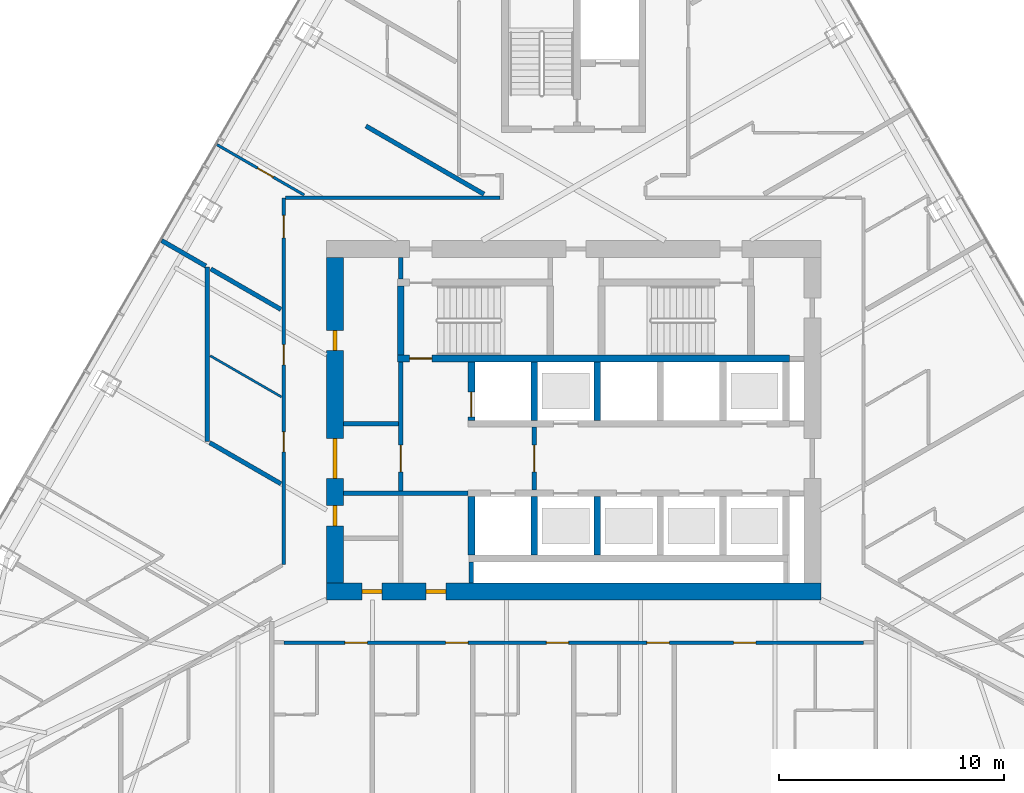
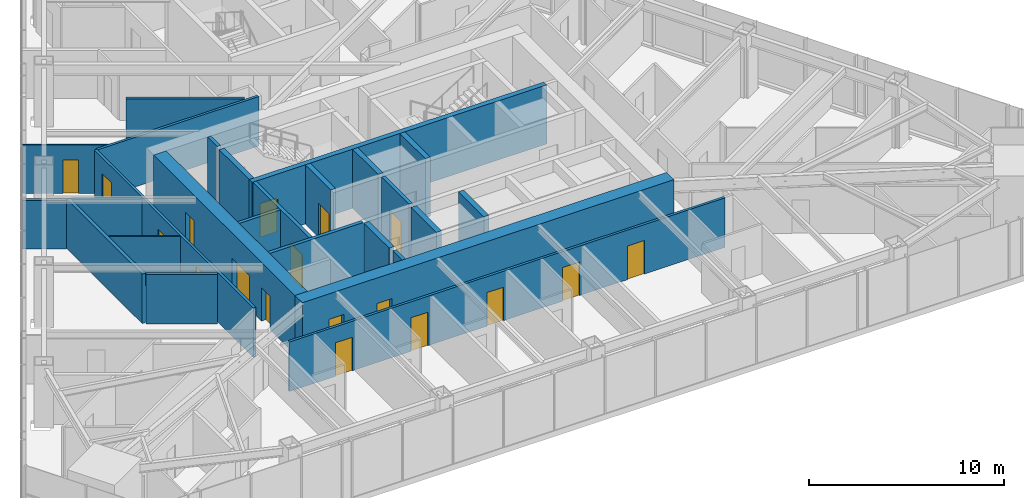
# One storey, part 15 of 21: 26 walls, 18 doors, 18 openings.
"""IFC4 building model written with IfcOpenShell, lengths in metres."""

from ifc_helpers import new_model, si_unit, direction, frame, frame_2d, origin, place, context, subcontext, project, spatial, rectangle, extrude, material, layer, layer_set, type_object, element, fill, save


model = new_model("IFC4")

# Units and contexts
model_context = context("Model", 3, precision=1e-05, world=origin(), true_north=direction((0.0, 1.0)))
body_context = subcontext(model_context, "Body", "Model", "MODEL_VIEW")
ifc_project = project(units=[si_unit("LENGTHUNIT", "METRE"), si_unit("AREAUNIT", "SQUARE_METRE"), si_unit("VOLUMEUNIT", "CUBIC_METRE"), si_unit("PLANEANGLEUNIT", "RADIAN"), si_unit("MASSUNIT", "GRAM", prefix="KILO")], contexts=[model_context])

# Site, building, storey
site_placement = place(None, origin())
site = spatial("IfcSite", under=ifc_project, at=site_placement, CompositionType="ELEMENT")
building_placement = place(site_placement, origin())
building = spatial("IfcBuilding", under=site, at=building_placement, Name="Firuza Gate Tower and Library", CompositionType="ELEMENT")
storey_placement = place(building_placement, frame((0.0, 0.0, 167.5)))
storey = spatial("IfcBuildingStorey", under=building, at=storey_placement, Name="L38", CompositionType="ELEMENT", Elevation=167.5)

# Walls
ifc_material_1 = material(Name="Plasterboard on steel studs", Category="steel")
ifc_layer_1 = layer(ifc_material_1, 0.199951171875)
ifc_layer_set_1 = layer_set([ifc_layer_1], Name="Core partition 200 EI 120")
wall_type_1 = type_object("IfcWallType", Name="Core partition 200 EI 120", PredefinedType="PARTITIONING", material=ifc_layer_set_1)
wall_1_placement = place(storey_placement, frame((64.75, 71.75, 0.0), z_axis=(0.0, 0.0, 1.0), x_axis=(1.0, 0.0, 0.0)))
element("IfcWall", 1, at=wall_1_placement, inside=storey, type_object=wall_type_1, Name="Core partition L38 2", PredefinedType="PARTITIONING", context=body_context, shape_type="SweptSolid", body=[
    extrude(rectangle(XDim=5.550048828125, YDim=0.199951171875, at=frame_2d((2.77490234375, 0.0))), origin(), (0.0, 0.0, 1.0), 3.699951171875),
])
wall_2_placement = place(storey_placement, frame((64.75, 74.85009765625, 0.0), z_axis=(0.0, 0.0, 1.0), x_axis=(1.0, 0.0, 0.0)))
element("IfcWall", 2, at=wall_2_placement, inside=storey, type_object=wall_type_1, Name="Core partition L38 4", PredefinedType="PARTITIONING", context=body_context, shape_type="SweptSolid", body=[
    extrude(rectangle(XDim=2.449951171875, YDim=0.199951171875, at=frame_2d((1.22509765625, 0.0))), origin(), (0.0, 0.0, 1.0), 3.699951171875),
])

# Wall, opening, door
wall_3_placement = place(storey_placement, frame((67.300048828125, 71.85009765625, 0.0), z_axis=(0.0, 0.0, 1.0), x_axis=(0.0, 1.0, 0.0)))
wall_3 = element("IfcWall", 3, at=wall_3_placement, inside=storey, type_object=wall_type_1, Name="Core partition L38 8", PredefinedType="PARTITIONING", context=body_context, shape_type="SweptSolid", body=[
    extrude(rectangle(XDim=5.75, YDim=0.199951171875, at=frame_2d((2.875, 0.0))), origin(), (0.0, 0.0, 1.0), 3.699951171875),
])
opening_1_placement = place(wall_3_placement, frame((0.85009765625, 0.0, 0.0)))
opening_1 = element("IfcOpeningElement", 4, at=opening_1_placement, cuts=wall_3, Name="Opening L38-K19", PredefinedType="OPENING", context=body_context, shape_type="SweptSolid", body=[
    extrude(rectangle(XDim=1.199951171875, YDim=2.10009765625, at=frame_2d((0.60009765625, 1.050048828125))), frame((0.0, 0.10986328125, 0.0), z_axis=(0.0, -1.0, 0.0), x_axis=(1.0, 0.0, 0.0)), (0.0, 0.0, 1.0), 0.219970703125),
])
ifc_material_2 = material(Name="Steel", Category="steel")
door_type_1 = type_object("IfcDoorType", Name="Fire door 1200x2100 FD90S", OperationType="NOTDEFINED", PredefinedType="DOOR", material=ifc_material_2)
door_1_placement = place(opening_1_placement, origin())
door_1 = element("IfcDoor", 5, at=door_1_placement, inside=storey, type_object=door_type_1, Name="Door L38-K19", OperationType="SINGLE_SWING_RIGHT", OverallHeight=2.10009765625, OverallWidth=1.199951171875, PredefinedType="DOOR", context=body_context, shape_type="SweptSolid", body=[
    extrude(rectangle(XDim=1.199951171875, YDim=2.10009765625, at=frame_2d((0.60009765625, 1.050048828125))), frame((0.0, 0.02490234375, 0.0), z_axis=(0.0, -1.0, 0.0), x_axis=(1.0, 0.0, 0.0)), (0.0, 0.0, 1.0), 0.050048828125),
])
fill(opening_1, door_1)

# Walls
wall_4_placement = place(storey_placement, frame((67.300048828125, 81.280029296875, 0.0), z_axis=(0.0, 0.0, 1.0), x_axis=(0.0, 1.0, 0.0)))
element("IfcWall", 6, at=wall_4_placement, inside=storey, type_object=wall_type_1, Name="Core partition L38 9", PredefinedType="PARTITIONING", context=body_context, shape_type="SweptSolid", body=[
    extrude(rectangle(XDim=0.969970703125, YDim=0.199951171875, at=frame_2d((0.48486328125, 0.0))), origin(), (0.0, 0.0, 1.0), 3.699951171875),
])
wall_5_placement = place(storey_placement, frame((70.449951171875, 67.75, 0.0), z_axis=(0.0, 0.0, 1.0), x_axis=(0.0, 1.0, 0.0)))
element("IfcWall", 7, at=wall_5_placement, inside=storey, type_object=wall_type_1, Name="Core partition L38 10", PredefinedType="PARTITIONING", context=body_context, shape_type="SweptSolid", body=[
    extrude(rectangle(XDim=0.949951171875, YDim=0.199951171875, at=frame_2d((0.47509765625, 0.0))), origin(), (0.0, 0.0, 1.0), 3.699951171875),
])

# Wall, opening, door
ifc_material_3 = material(Name="Plasterboard on steel studs", Category="steel")
ifc_layer_2 = layer(ifc_material_3, 0.199951171875)
ifc_layer_set_2 = layer_set([ifc_layer_2], Name="Core partition 200 EI 60")
wall_type_2 = type_object("IfcWallType", Name="Core partition 200 EI 60", PredefinedType="PARTITIONING", material=ifc_layer_set_2)
wall_6_placement = place(storey_placement, frame((73.25, 71.89990234375, 0.0), z_axis=(0.0, 0.0, 1.0), x_axis=(0.0, 1.0, 0.0)))
wall_6 = element("IfcWall", 8, at=wall_6_placement, inside=storey, type_object=wall_type_2, Name="Core partition L38 11", PredefinedType="PARTITIONING", context=body_context, shape_type="SweptSolid", body=[
    extrude(rectangle(XDim=2.800048828125, YDim=0.199951171875, at=frame_2d((1.39990234375, 0.0))), origin(), (0.0, 0.0, 1.0), 3.699951171875),
])
opening_2_placement = place(wall_6_placement, frame((0.800048828125, 0.0, 0.0)))
opening_2 = element("IfcOpeningElement", 9, at=opening_2_placement, cuts=wall_6, Name="Opening L38-K18", PredefinedType="OPENING", context=body_context, shape_type="SweptSolid", body=[
    extrude(rectangle(XDim=1.199951171875, YDim=2.10009765625, at=frame_2d((0.60009765625, 1.050048828125))), frame((0.0, 0.10986328125, 0.0), z_axis=(0.0, -1.0, 0.0), x_axis=(1.0, 0.0, 0.0)), (0.0, 0.0, 1.0), 0.219970703125),
])
door_2_placement = place(opening_2_placement, origin())
door_2 = element("IfcDoor", 10, at=door_2_placement, inside=storey, type_object=door_type_1, Name="Door L38-K18", OperationType="SINGLE_SWING_LEFT", OverallHeight=2.10009765625, OverallWidth=1.199951171875, PredefinedType="DOOR", context=body_context, shape_type="SweptSolid", body=[
    extrude(rectangle(XDim=1.199951171875, YDim=2.10009765625, at=frame_2d((0.60009765625, 1.050048828125))), frame((0.0, 0.02490234375, 0.0), z_axis=(0.0, -1.0, 0.0), x_axis=(1.0, 0.0, 0.0)), (0.0, 0.0, 1.0), 0.050048828125),
])
fill(opening_2, door_2)

# Wall
ifc_material_4 = material(Name="Concrete C80/95", Category="concrete")
ifc_layer_3 = layer(ifc_material_4, 0.300048828125)
ifc_layer_set_3 = layer_set([ifc_layer_3], Name="Core wall 300 C80/95")
wall_type_3 = type_object("IfcWallType", Name="Core wall 300 C80/95", PredefinedType="SHEAR", material=ifc_layer_set_3)
wall_7_placement = place(storey_placement, frame((70.449951171875, 69.0, 0.0), z_axis=(0.0, 0.0, 1.0), x_axis=(0.0, 1.0, 0.0)))
element("IfcWall", 11, at=wall_7_placement, inside=storey, type_object=wall_type_3, Name="Core wall L38 8", PredefinedType="SHEAR", context=body_context, shape_type="SweptSolid", body=[
    extrude(rectangle(XDim=2.60009765625, YDim=0.300048828125, at=frame_2d((1.300048828125, 0.0))), origin(), (0.0, 0.0, 1.0), 3.699951171875),
])

# Wall, opening, door
wall_8_placement = place(storey_placement, frame((70.449951171875, 75.0, 0.0), z_axis=(0.0, 0.0, 1.0), x_axis=(0.0, 1.0, 0.0)))
wall_8 = element("IfcWall", 12, at=wall_8_placement, inside=storey, type_object=wall_type_3, Name="Core wall L38 9", PredefinedType="SHEAR", context=body_context, shape_type="SweptSolid", body=[
    extrude(rectangle(XDim=2.60009765625, YDim=0.300048828125, at=frame_2d((1.300048828125, 0.0))), origin(), (0.0, 0.0, 1.0), 3.699951171875),
])
opening_3_placement = place(wall_8_placement, frame((0.14990234375, 0.0, 0.0)))
opening_3 = element("IfcOpeningElement", 13, at=opening_3_placement, cuts=wall_8, Name="Opening LD-FF2-L38", PredefinedType="OPENING", context=body_context, shape_type="SweptSolid", body=[
    extrude(rectangle(XDim=1.10009765625, YDim=2.10009765625, at=frame_2d((0.550048828125, 1.050048828125))), frame((0.0, 0.16015625, 0.0), z_axis=(0.0, -1.0, 0.0), x_axis=(1.0, 0.0, 0.0)), (0.0, 0.0, 1.0), 0.320068359375),
])
ifc_material_5 = material(Name="Stainless steel", Category="steel")
door_type_2 = type_object("IfcDoorType", Name="Lift landing door 1100x2100", OperationType="DOUBLE_DOOR_SLIDING", PredefinedType="DOOR", material=ifc_material_5)
door_3_placement = place(opening_3_placement, origin())
door_3 = element("IfcDoor", 14, at=door_3_placement, inside=storey, type_object=door_type_2, Name="Landing door FF2 L38", OperationType="DOUBLE_DOOR_SLIDING", OverallHeight=2.10009765625, OverallWidth=1.10009765625, PredefinedType="DOOR", context=body_context, shape_type="SweptSolid", body=[
    extrude(rectangle(XDim=1.10009765625, YDim=2.10009765625, at=frame_2d((0.550048828125, 1.050048828125))), frame((0.0, 0.02490234375, 0.0), z_axis=(0.0, -1.0, 0.0), x_axis=(1.0, 0.0, 0.0)), (0.0, 0.0, 1.0), 0.050048828125),
])
fill(opening_3, door_3)

# Walls
for number, where, z_axis, x_axis, name in (
    (15, (73.25, 69.0, 0.0), (0.0, 0.0, 1.0), (0.0, 1.0, 0.0), "Core wall L38 10"),
    (16, (73.25, 75.0, 0.0), (0.0, 0.0, 1.0), (0.0, 1.0, 0.0), "Core wall L38 11"),
    (17, (76.050048828125, 69.0, 0.0), (0.0, 0.0, 1.0), (0.0, 1.0, 0.0), "Core wall L38 12"),
    (18, (76.050048828125, 75.0, 0.0), (0.0, 0.0, 1.0), (0.0, 1.0, 0.0), "Core wall L38 13"),
):
    element("IfcWall", number, at=place(storey_placement, frame(where, z_axis=z_axis, x_axis=x_axis)), inside=storey, type_object=wall_type_3, Name=name, PredefinedType="SHEAR", context=body_context, shape_type="SweptSolid", body=[
        extrude(rectangle(XDim=2.60009765625, YDim=0.300048828125, at=frame_2d((1.300048828125, 0.0))), origin(), (0.0, 0.0, 1.0), 3.699951171875),
    ])

# Wall, opening, door
wall_9_placement = place(storey_placement, frame((67.14990234375, 77.75, 0.0), z_axis=(0.0, 0.0, 1.0), x_axis=(1.0, 0.0, 0.0)))
wall_9 = element("IfcWall", 19, at=wall_9_placement, inside=storey, type_object=wall_type_3, Name="Core wall L38 20", PredefinedType="SHEAR", context=body_context, shape_type="SweptSolid", body=[
    extrude(rectangle(XDim=17.4501953125, YDim=0.300048828125, at=frame_2d((8.72509765625, 0.0))), origin(), (0.0, 0.0, 1.0), 3.699951171875),
])
opening_4_placement = place(wall_9_placement, frame((0.544921875, 0.0, 0.0)))
opening_4 = element("IfcOpeningElement", 20, at=opening_4_placement, cuts=wall_9, Name="Opening L38-K10", PredefinedType="OPENING", context=body_context, shape_type="SweptSolid", body=[
    extrude(rectangle(XDim=1.0, YDim=2.10009765625, at=frame_2d((0.5, 1.050048828125))), frame((0.0, 0.16015625, 0.0), z_axis=(0.0, -1.0, 0.0), x_axis=(1.0, 0.0, 0.0)), (0.0, 0.0, 1.0), 0.320068359375),
])
ifc_material_6 = material(Name="Steel", Category="steel")
door_type_3 = type_object("IfcDoorType", Name="Fire door 1000x2100 FD90", OperationType="NOTDEFINED", PredefinedType="DOOR", material=ifc_material_6)
door_4_placement = place(opening_4_placement, origin())
door_4 = element("IfcDoor", 21, at=door_4_placement, inside=storey, type_object=door_type_3, Name="Door L38-K10", OperationType="SINGLE_SWING_LEFT", OverallHeight=2.10009765625, OverallWidth=1.0, PredefinedType="DOOR", context=body_context, shape_type="SweptSolid", body=[
    extrude(rectangle(XDim=1.0, YDim=2.10009765625, at=frame_2d((0.5, 1.050048828125))), frame((0.0, 0.02490234375, 0.0), z_axis=(0.0, -1.0, 0.0), x_axis=(1.0, 0.0, 0.0)), (0.0, 0.0, 1.0), 0.050048828125),
])
fill(opening_4, door_4)

# Wall
wall_10_placement = place(storey_placement, frame((67.300048828125, 77.89990234375, 0.0), z_axis=(0.0, 0.0, 1.0), x_axis=(0.0, 1.0, 0.0)))
element("IfcWall", 22, at=wall_10_placement, inside=storey, type_object=wall_type_3, Name="Core wall L38 23", PredefinedType="SHEAR", context=body_context, shape_type="SweptSolid", body=[
    extrude(rectangle(XDim=3.080078125, YDim=0.300048828125, at=frame_2d((1.5400390625, 0.0))), origin(), (0.0, 0.0, 1.0), 3.699951171875),
])

# Wall, openings, doors
ifc_material_7 = material(Name="Concrete C80/95", Category="concrete")
ifc_layer_4 = layer(ifc_material_7, 0.75)
ifc_layer_set_4 = layer_set([ifc_layer_4], Name="Core wall 750 C80/95")
wall_type_4 = type_object("IfcWallType", Name="Core wall 750 C80/95", PredefinedType="SHEAR", material=ifc_layer_set_4)
wall_11_placement = place(storey_placement, frame((64.0, 67.375, 0.0), z_axis=(0.0, 0.0, 1.0), x_axis=(1.0, 0.0, 0.0)))
wall_11 = element("IfcWall", 23, at=wall_11_placement, inside=storey, type_object=wall_type_4, Name="Core wall L38 1", PredefinedType="SHEAR", context=body_context, shape_type="SweptSolid", body=[
    extrude(rectangle(XDim=22.0, YDim=0.75, at=frame_2d((11.0, 0.0))), origin(), (0.0, 0.0, 1.0), 3.699951171875),
])
opening_5_placement = place(wall_11_placement, frame((1.574951171875, 0.0, 0.0)))
opening_5 = element("IfcOpeningElement", 24, at=opening_5_placement, cuts=wall_11, Name="Opening L38-K22", PredefinedType="OPENING", context=body_context, shape_type="SweptSolid", body=[
    extrude(rectangle(XDim=0.89990234375, YDim=2.10009765625, at=frame_2d((0.449951171875, 1.050048828125))), frame((0.0, 0.385009765625, 0.0), z_axis=(0.0, -1.0, 0.0), x_axis=(1.0, 0.0, 0.0)), (0.0, 0.0, 1.0), 0.77001953125),
])
opening_6_placement = place(wall_11_placement, frame((4.425048828125, 0.0, 0.0)))
opening_6 = element("IfcOpeningElement", 25, at=opening_6_placement, cuts=wall_11, Name="Opening L38-K24", PredefinedType="OPENING", context=body_context, shape_type="SweptSolid", body=[
    extrude(rectangle(XDim=0.89990234375, YDim=2.10009765625, at=frame_2d((0.449951171875, 1.050048828125))), frame((0.0, 0.385009765625, 0.0), z_axis=(0.0, -1.0, 0.0), x_axis=(1.0, 0.0, 0.0)), (0.0, 0.0, 1.0), 0.77001953125),
])
ifc_material_8 = material(Name="Steel", Category="steel")
door_type_4 = type_object("IfcDoorType", Name="Fire door 900x2100 FD30S", OperationType="NOTDEFINED", PredefinedType="DOOR", material=ifc_material_8)
door_5_placement = place(opening_5_placement, origin())
door_5 = element("IfcDoor", 26, at=door_5_placement, inside=storey, type_object=door_type_4, Name="Door L38-K22", OperationType="SINGLE_SWING_LEFT", OverallHeight=2.10009765625, OverallWidth=0.89990234375, PredefinedType="DOOR", context=body_context, shape_type="SweptSolid", body=[
    extrude(rectangle(XDim=0.89990234375, YDim=2.10009765625, at=frame_2d((0.449951171875, 1.050048828125))), frame((0.0, 0.094970703125, 0.0), z_axis=(0.0, -1.0, 0.0), x_axis=(1.0, 0.0, 0.0)), (0.0, 0.0, 1.0), 0.18994140625),
])
fill(opening_5, door_5)
door_6_placement = place(opening_6_placement, origin())
door_6 = element("IfcDoor", 27, at=door_6_placement, inside=storey, type_object=door_type_4, Name="Door L38-K24", OperationType="SINGLE_SWING_LEFT", OverallHeight=2.10009765625, OverallWidth=0.89990234375, PredefinedType="DOOR", context=body_context, shape_type="SweptSolid", body=[
    extrude(rectangle(XDim=0.89990234375, YDim=2.10009765625, at=frame_2d((0.449951171875, 1.050048828125))), frame((0.0, 0.094970703125, 0.0), z_axis=(0.0, -1.0, 0.0), x_axis=(1.0, 0.0, 0.0)), (0.0, 0.0, 1.0), 0.18994140625),
])
fill(opening_6, door_6)

wall_12_placement = place(storey_placement, frame((64.375, 67.75, 0.0), z_axis=(0.0, 0.0, 1.0), x_axis=(0.0, 1.0, 0.0)))
wall_12 = element("IfcWall", 28, at=wall_12_placement, inside=storey, type_object=wall_type_4, Name="Core wall L38 3", PredefinedType="SHEAR", context=body_context, shape_type="SweptSolid", body=[
    extrude(rectangle(XDim=14.5, YDim=0.75, at=frame_2d((7.25, 0.0))), origin(), (0.0, 0.0, 1.0), 3.699951171875),
])
opening_7_placement = place(wall_12_placement, frame((4.64990234375, 0.0, 0.0)))
opening_7 = element("IfcOpeningElement", 29, at=opening_7_placement, cuts=wall_12, Name="Opening L38-K20", PredefinedType="OPENING", context=body_context, shape_type="SweptSolid", body=[
    extrude(rectangle(XDim=1.800048828125, YDim=2.10009765625, at=frame_2d((0.89990234375, 1.050048828125))), frame((0.0, 0.385009765625, 0.0), z_axis=(0.0, -1.0, 0.0), x_axis=(1.0, 0.0, 0.0)), (0.0, 0.0, 1.0), 0.77001953125),
])
opening_8_placement = place(wall_12_placement, frame((2.550048828125, 0.0, 0.0)))
opening_8 = element("IfcOpeningElement", 30, at=opening_8_placement, cuts=wall_12, Name="Opening L38-K23", PredefinedType="OPENING", context=body_context, shape_type="SweptSolid", body=[
    extrude(rectangle(XDim=0.89990234375, YDim=2.10009765625, at=frame_2d((0.449951171875, 1.050048828125))), frame((0.0, 0.385009765625, 0.0), z_axis=(0.0, -1.0, 0.0), x_axis=(1.0, 0.0, 0.0)), (0.0, 0.0, 1.0), 0.77001953125),
])
opening_9_placement = place(wall_12_placement, frame((10.35009765625, 0.0, 0.0)))
opening_9 = element("IfcOpeningElement", 31, at=opening_9_placement, cuts=wall_12, Name="Opening L38-K25", PredefinedType="OPENING", context=body_context, shape_type="SweptSolid", body=[
    extrude(rectangle(XDim=0.89990234375, YDim=2.10009765625, at=frame_2d((0.449951171875, 1.050048828125))), frame((0.0, 0.385009765625, 0.0), z_axis=(0.0, -1.0, 0.0), x_axis=(1.0, 0.0, 0.0)), (0.0, 0.0, 1.0), 0.77001953125),
])
ifc_material_9 = material(Name="Steel", Category="steel")
door_type_5 = type_object("IfcDoorType", Name="Fire door 1800x2100 FD30S", OperationType="NOTDEFINED", PredefinedType="DOOR", material=ifc_material_9)
door_7_placement = place(opening_7_placement, origin())
door_7 = element("IfcDoor", 32, at=door_7_placement, inside=storey, type_object=door_type_5, Name="Door L38-K20", OperationType="SINGLE_SWING_LEFT", OverallHeight=2.10009765625, OverallWidth=1.800048828125, PredefinedType="DOOR", context=body_context, shape_type="SweptSolid", body=[
    extrude(rectangle(XDim=1.800048828125, YDim=2.10009765625, at=frame_2d((0.89990234375, 1.050048828125))), frame((0.0, 0.094970703125, 0.0), z_axis=(0.0, -1.0, 0.0), x_axis=(1.0, 0.0, 0.0)), (0.0, 0.0, 1.0), 0.18994140625),
])
fill(opening_7, door_7)
door_8_placement = place(opening_8_placement, origin())
door_8 = element("IfcDoor", 33, at=door_8_placement, inside=storey, type_object=door_type_4, Name="Door L38-K23", OperationType="SINGLE_SWING_RIGHT", OverallHeight=2.10009765625, OverallWidth=0.89990234375, PredefinedType="DOOR", context=body_context, shape_type="SweptSolid", body=[
    extrude(rectangle(XDim=0.89990234375, YDim=2.10009765625, at=frame_2d((0.449951171875, 1.050048828125))), frame((0.0, 0.094970703125, 0.0), z_axis=(0.0, -1.0, 0.0), x_axis=(1.0, 0.0, 0.0)), (0.0, 0.0, 1.0), 0.18994140625),
])
fill(opening_8, door_8)
door_9_placement = place(opening_9_placement, origin())
door_9 = element("IfcDoor", 34, at=door_9_placement, inside=storey, type_object=door_type_4, Name="Door L38-K25", OperationType="SINGLE_SWING_RIGHT", OverallHeight=2.10009765625, OverallWidth=0.89990234375, PredefinedType="DOOR", context=body_context, shape_type="SweptSolid", body=[
    extrude(rectangle(XDim=0.89990234375, YDim=2.10009765625, at=frame_2d((0.449951171875, 1.050048828125))), frame((0.0, 0.094970703125, 0.0), z_axis=(0.0, -1.0, 0.0), x_axis=(1.0, 0.0, 0.0)), (0.0, 0.0, 1.0), 0.18994140625),
])
fill(opening_9, door_9)

ifc_material_10 = material(Name="Gypsum board partition")
ifc_layer_5 = layer(ifc_material_10, 0.14990234375)
ifc_layer_set_5 = layer_set([ifc_layer_5], Name="Corridor wall 150 double board on steel studs")
wall_type_5 = type_object("IfcWallType", Name="Corridor wall 150 double board on steel studs", PredefinedType="PARTITIONING", material=ifc_layer_set_5)
wall_13_placement = place(storey_placement, frame((87.8994140625, 65.10009765625, 0.0), z_axis=(0.0, 0.0, 1.0), x_axis=(-1.0, 0.0, 0.0)))
wall_13 = element("IfcWall", 35, at=wall_13_placement, inside=storey, type_object=wall_type_5, Name="f:L38:w008", PredefinedType="PARTITIONING", context=body_context, shape_type="SweptSolid", body=[
    extrude(rectangle(XDim=25.798828125, YDim=0.14990234375, at=frame_2d((12.8994140625, 0.0))), origin(), (0.0, 0.0, 1.0), 3.10009765625),
])
opening_10_placement = place(wall_13_placement, frame((4.781982421875, 0.0, 0.0)))
opening_10 = element("IfcOpeningElement", 36, at=opening_10_placement, cuts=wall_13, Name="Opening L38-06", PredefinedType="OPENING", context=body_context, shape_type="SweptSolid", body=[
    extrude(rectangle(XDim=1.0, YDim=2.10009765625, at=frame_2d((0.5, 1.050048828125))), frame((0.0, 0.0849609375, 0.0), z_axis=(0.0, -1.0, 0.0), x_axis=(1.0, 0.0, 0.0)), (0.0, 0.0, 1.0), 0.169921875),
])
opening_11_placement = place(wall_13_placement, frame((8.63623046875, 0.0, 0.0)))
opening_11 = element("IfcOpeningElement", 37, at=opening_11_placement, cuts=wall_13, Name="Opening L38-07", PredefinedType="OPENING", context=body_context, shape_type="SweptSolid", body=[
    extrude(rectangle(XDim=1.0, YDim=2.10009765625, at=frame_2d((0.5, 1.050048828125))), frame((0.0, 0.0849609375, 0.0), z_axis=(0.0, -1.0, 0.0), x_axis=(1.0, 0.0, 0.0)), (0.0, 0.0, 1.0), 0.169921875),
])
opening_12_placement = place(wall_13_placement, frame((13.1171875, 0.0, 0.0)))
opening_12 = element("IfcOpeningElement", 38, at=opening_12_placement, cuts=wall_13, Name="Opening L38-08", PredefinedType="OPENING", context=body_context, shape_type="SweptSolid", body=[
    extrude(rectangle(XDim=1.0, YDim=2.10009765625, at=frame_2d((0.5, 1.050048828125))), frame((0.0, 0.0849609375, 0.0), z_axis=(0.0, -1.0, 0.0), x_axis=(1.0, 0.0, 0.0)), (0.0, 0.0, 1.0), 0.169921875),
])
opening_13_placement = place(wall_13_placement, frame((17.59814453125, 0.0, 0.0)))
opening_13 = element("IfcOpeningElement", 39, at=opening_13_placement, cuts=wall_13, Name="Opening L38-09", PredefinedType="OPENING", context=body_context, shape_type="SweptSolid", body=[
    extrude(rectangle(XDim=1.0, YDim=2.10009765625, at=frame_2d((0.5, 1.050048828125))), frame((0.0, 0.0849609375, 0.0), z_axis=(0.0, -1.0, 0.0), x_axis=(1.0, 0.0, 0.0)), (0.0, 0.0, 1.0), 0.169921875),
])
opening_14_placement = place(wall_13_placement, frame((22.0791015625, 0.0, 0.0)))
opening_14 = element("IfcOpeningElement", 40, at=opening_14_placement, cuts=wall_13, Name="Opening L38-10", PredefinedType="OPENING", context=body_context, shape_type="SweptSolid", body=[
    extrude(rectangle(XDim=1.0, YDim=2.10009765625, at=frame_2d((0.5, 1.050048828125))), frame((0.0, 0.0849609375, 0.0), z_axis=(0.0, -1.0, 0.0), x_axis=(1.0, 0.0, 0.0)), (0.0, 0.0, 1.0), 0.169921875),
])
ifc_material_11 = material(Name="Steel door and timber leaf", Category="steel")
door_type_6 = type_object("IfcDoorType", Name="Fire door 1000 x 2100 steel frame, timber leaf", OperationType="NOTDEFINED", PredefinedType="DOOR", material=ifc_material_11)
door_10_placement = place(opening_10_placement, origin())
door_10 = element("IfcDoor", 41, at=door_10_placement, inside=storey, type_object=door_type_6, Name="f:L38:d006", OperationType="SINGLE_SWING_RIGHT", OverallHeight=2.10009765625, OverallWidth=1.0, PredefinedType="DOOR", context=body_context, shape_type="SweptSolid", body=[
    extrude(rectangle(XDim=1.0, YDim=2.10009765625, at=frame_2d((0.5, 1.050048828125))), frame((0.0, 0.02490234375, 0.0), z_axis=(0.0, -1.0, 0.0), x_axis=(1.0, 0.0, 0.0)), (0.0, 0.0, 1.0), 0.050048828125),
])
fill(opening_10, door_10)
door_11_placement = place(opening_11_placement, origin())
door_11 = element("IfcDoor", 42, at=door_11_placement, inside=storey, type_object=door_type_6, Name="f:L38:d007", OperationType="SINGLE_SWING_RIGHT", OverallHeight=2.10009765625, OverallWidth=1.0, PredefinedType="DOOR", context=body_context, shape_type="SweptSolid", body=[
    extrude(rectangle(XDim=1.0, YDim=2.10009765625, at=frame_2d((0.5, 1.050048828125))), frame((0.0, 0.02490234375, 0.0), z_axis=(0.0, -1.0, 0.0), x_axis=(1.0, 0.0, 0.0)), (0.0, 0.0, 1.0), 0.050048828125),
])
fill(opening_11, door_11)
door_12_placement = place(opening_12_placement, origin())
door_12 = element("IfcDoor", 43, at=door_12_placement, inside=storey, type_object=door_type_6, Name="f:L38:d008", OperationType="SINGLE_SWING_RIGHT", OverallHeight=2.10009765625, OverallWidth=1.0, PredefinedType="DOOR", context=body_context, shape_type="SweptSolid", body=[
    extrude(rectangle(XDim=1.0, YDim=2.10009765625, at=frame_2d((0.5, 1.050048828125))), frame((0.0, 0.02490234375, 0.0), z_axis=(0.0, -1.0, 0.0), x_axis=(1.0, 0.0, 0.0)), (0.0, 0.0, 1.0), 0.050048828125),
])
fill(opening_12, door_12)
door_13_placement = place(opening_13_placement, origin())
door_13 = element("IfcDoor", 44, at=door_13_placement, inside=storey, type_object=door_type_6, Name="f:L38:d009", OperationType="SINGLE_SWING_RIGHT", OverallHeight=2.10009765625, OverallWidth=1.0, PredefinedType="DOOR", context=body_context, shape_type="SweptSolid", body=[
    extrude(rectangle(XDim=1.0, YDim=2.10009765625, at=frame_2d((0.5, 1.050048828125))), frame((0.0, 0.02490234375, 0.0), z_axis=(0.0, -1.0, 0.0), x_axis=(1.0, 0.0, 0.0)), (0.0, 0.0, 1.0), 0.050048828125),
])
fill(opening_13, door_13)
door_14_placement = place(opening_14_placement, origin())
door_14 = element("IfcDoor", 45, at=door_14_placement, inside=storey, type_object=door_type_6, Name="f:L38:d010", OperationType="SINGLE_SWING_RIGHT", OverallHeight=2.10009765625, OverallWidth=1.0, PredefinedType="DOOR", context=body_context, shape_type="SweptSolid", body=[
    extrude(rectangle(XDim=1.0, YDim=2.10009765625, at=frame_2d((0.5, 1.050048828125))), frame((0.0, 0.02490234375, 0.0), z_axis=(0.0, -1.0, 0.0), x_axis=(1.0, 0.0, 0.0)), (0.0, 0.0, 1.0), 0.050048828125),
])
fill(opening_14, door_14)

# Wall
wall_14_placement = place(storey_placement, frame((62.175537109375, 84.89990234375, 0.0), z_axis=(0.0, 0.0, 1.0), x_axis=(1.0, 0.0, 0.0)))
element("IfcWall", 46, at=wall_14_placement, inside=storey, type_object=wall_type_5, Name="f:L38:w011", PredefinedType="PARTITIONING", context=body_context, shape_type="SweptSolid", body=[
    extrude(rectangle(XDim=9.549560546875, YDim=0.14990234375, at=frame_2d((4.77490234375, 0.0))), origin(), (0.0, 0.0, 1.0), 3.10009765625),
])

# Wall, openings, doors
wall_15_placement = place(storey_placement, frame((62.10009765625, 68.59130859375, 0.0), z_axis=(0.0, 0.0, 1.0), x_axis=(0.0, 1.0, 0.0)))
wall_15 = element("IfcWall", 47, at=wall_15_placement, inside=storey, type_object=wall_type_5, Name="f:L38:w080", PredefinedType="PARTITIONING", context=body_context, shape_type="SweptSolid", body=[
    extrude(rectangle(XDim=16.30810546875, YDim=0.14990234375, at=frame_2d((8.154052734375, 0.0))), origin(), (0.0, 0.0, 1.0), 3.10009765625),
])
opening_15_placement = place(wall_15_placement, frame((4.99853515625, 0.0, 0.0)))
opening_15 = element("IfcOpeningElement", 48, at=opening_15_placement, cuts=wall_15, Name="Opening L38-41", PredefinedType="OPENING", context=body_context, shape_type="SweptSolid", body=[
    extrude(rectangle(XDim=0.89990234375, YDim=2.10009765625, at=frame_2d((0.449951171875, 1.050048828125))), frame((0.0, 0.0849609375, 0.0), z_axis=(0.0, -1.0, 0.0), x_axis=(1.0, 0.0, 0.0)), (0.0, 0.0, 1.0), 0.169921875),
])
opening_16_placement = place(wall_15_placement, frame((8.879150390625, 0.0, 0.0)))
opening_16 = element("IfcOpeningElement", 49, at=opening_16_placement, cuts=wall_15, Name="Opening L38-42", PredefinedType="OPENING", context=body_context, shape_type="SweptSolid", body=[
    extrude(rectangle(XDim=0.89990234375, YDim=2.10009765625, at=frame_2d((0.449951171875, 1.050048828125))), frame((0.0, 0.0849609375, 0.0), z_axis=(0.0, -1.0, 0.0), x_axis=(1.0, 0.0, 0.0)), (0.0, 0.0, 1.0), 0.169921875),
])
opening_17_placement = place(wall_15_placement, frame((14.53173828125, 0.0, 0.0)))
opening_17 = element("IfcOpeningElement", 50, at=opening_17_placement, cuts=wall_15, Name="Opening L38-43", PredefinedType="OPENING", context=body_context, shape_type="SweptSolid", body=[
    extrude(rectangle(XDim=1.0, YDim=2.10009765625, at=frame_2d((0.5, 1.050048828125))), frame((0.0, 0.0849609375, 0.0), z_axis=(0.0, -1.0, 0.0), x_axis=(1.0, 0.0, 0.0)), (0.0, 0.0, 1.0), 0.169921875),
])
door_15_placement = place(opening_17_placement, origin())
door_15 = element("IfcDoor", 51, at=door_15_placement, inside=storey, type_object=door_type_6, Name="f:L38:d043", OperationType="SINGLE_SWING_RIGHT", OverallHeight=2.10009765625, OverallWidth=1.0, PredefinedType="DOOR", context=body_context, shape_type="SweptSolid", body=[
    extrude(rectangle(XDim=1.0, YDim=2.10009765625, at=frame_2d((0.5, 1.050048828125))), frame((0.0, 0.02490234375, 0.0), z_axis=(0.0, -1.0, 0.0), x_axis=(1.0, 0.0, 0.0)), (0.0, 0.0, 1.0), 0.050048828125),
])
fill(opening_17, door_15)
ifc_material_12 = material(Name="Steel door and timber leaf", Category="steel")
door_type_7 = type_object("IfcDoorType", Name="Fire door 900 x 2100 steel frame, timber leaf", OperationType="NOTDEFINED", PredefinedType="DOOR", material=ifc_material_12)
door_16_placement = place(opening_15_placement, origin())
door_16 = element("IfcDoor", 52, at=door_16_placement, inside=storey, type_object=door_type_7, Name="f:L38:d041", OperationType="SINGLE_SWING_LEFT", OverallHeight=2.10009765625, OverallWidth=0.89990234375, PredefinedType="DOOR", context=body_context, shape_type="SweptSolid", body=[
    extrude(rectangle(XDim=0.89990234375, YDim=2.10009765625, at=frame_2d((0.449951171875, 1.050048828125))), frame((0.0, 0.02490234375, 0.0), z_axis=(0.0, -1.0, 0.0), x_axis=(1.0, 0.0, 0.0)), (0.0, 0.0, 1.0), 0.050048828125),
])
fill(opening_15, door_16)
door_17_placement = place(opening_16_placement, origin())
door_17 = element("IfcDoor", 53, at=door_17_placement, inside=storey, type_object=door_type_7, Name="f:L38:d042", OperationType="SINGLE_SWING_RIGHT", OverallHeight=2.10009765625, OverallWidth=0.89990234375, PredefinedType="DOOR", context=body_context, shape_type="SweptSolid", body=[
    extrude(rectangle(XDim=0.89990234375, YDim=2.10009765625, at=frame_2d((0.449951171875, 1.050048828125))), frame((0.0, 0.02490234375, 0.0), z_axis=(0.0, -1.0, 0.0), x_axis=(1.0, 0.0, 0.0)), (0.0, 0.0, 1.0), 0.050048828125),
])
fill(opening_16, door_17)

# Walls
ifc_material_13 = material(Name="Gypsum board partition")
ifc_layer_6 = layer(ifc_material_13, 0.199951171875)
ifc_layer_set_6 = layer_set([ifc_layer_6], Name="Demising wall 200 acoustic double stud")
wall_type_6 = type_object("IfcWallType", Name="Demising wall 200 acoustic double stud", PredefinedType="PARTITIONING", material=ifc_layer_set_6)
wall_16_placement = place(storey_placement, frame((58.699951171875, 74.063232421875, 0.0), z_axis=(0.0, 0.0, 1.0), x_axis=(0.0, 1.0, 0.0)))
element("IfcWall", 54, at=wall_16_placement, inside=storey, type_object=wall_type_6, Name="f:L38:w082", PredefinedType="PARTITIONING", context=body_context, shape_type="SweptSolid", body=[
    extrude(rectangle(XDim=7.76025390625, YDim=0.199951171875, at=frame_2d((3.880126953125, 0.0))), origin(), (0.0, 0.0, 1.0), 3.10009765625),
])
wall_17_placement = place(storey_placement, frame((71.009521484375, 85.064697265625, 0.0), z_axis=(0.0, 0.0, 1.0), x_axis=(-0.866024161028, 0.500002152512, 0.0)))
element("IfcWall", 55, at=wall_17_placement, inside=storey, type_object=wall_type_6, Name="f:L38:w099", PredefinedType="PARTITIONING", context=body_context, shape_type="SweptSolid", body=[
    extrude(rectangle(XDim=6.06982421875, YDim=0.199951171875, at=frame_2d((3.034912109375, 0.0))), origin(), (0.0, 0.0, 1.0), 3.10009765625),
])
wall_18_placement = place(storey_placement, frame((61.972900390625, 79.93359375, 0.0), z_axis=(0.0, 0.0, 1.0), x_axis=(-0.866022099498, 0.500005723148, 0.0)))
element("IfcWall", 56, at=wall_18_placement, inside=storey, type_object=wall_type_6, Name="f:L38:w107", PredefinedType="PARTITIONING", context=body_context, shape_type="SweptSolid", body=[
    extrude(rectangle(XDim=3.60595703125, YDim=0.199951171875, at=frame_2d((1.802978515625, 0.0))), origin(), (0.0, 0.0, 1.0), 3.10009765625),
])
wall_19_placement = place(storey_placement, frame((61.97314453125, 72.1728515625, 0.0), z_axis=(0.0, 0.0, 1.0), x_axis=(-0.866049104564, 0.499958946799, 0.0)))
element("IfcWall", 57, at=wall_19_placement, inside=storey, type_object=wall_type_6, Name="f:L38:w110", PredefinedType="PARTITIONING", context=body_context, shape_type="SweptSolid", body=[
    extrude(rectangle(XDim=3.663818359375, YDim=0.199951171875, at=frame_2d((1.83203125, 0.0))), origin(), (0.0, 0.0, 1.0), 3.10009765625),
])
wall_20_placement = place(storey_placement, frame((58.625, 81.86669921875, 0.0), z_axis=(0.0, 0.0, 1.0), x_axis=(-0.866072512627, 0.499918396212, 0.0)))
element("IfcWall", 58, at=wall_20_placement, inside=storey, type_object=wall_type_6, Name="f:L38:w119", PredefinedType="PARTITIONING", context=body_context, shape_type="SweptSolid", body=[
    extrude(rectangle(XDim=2.26513671875, YDim=0.199951171875, at=frame_2d((1.132568359375, 0.0))), origin(), (0.0, 0.0, 1.0), 3.02197265625),
])
ifc_material_14 = material(Name="Gypsum board partition")
ifc_layer_7 = layer(ifc_material_14, 0.10009765625)
ifc_layer_set_7 = layer_set([ifc_layer_7], Name="Partition 100 gypsum board on steel studs")
wall_type_7 = type_object("IfcWallType", Name="Partition 100 gypsum board on steel studs", PredefinedType="PARTITIONING", material=ifc_layer_set_7)
wall_21_placement = place(storey_placement, frame((61.999267578125, 76.03857421875, 0.0), z_axis=(0.0, 0.0, 1.0), x_axis=(-0.866020252061, 0.500008922941, 0.0)))
element("IfcWall", 59, at=wall_21_placement, inside=storey, type_object=wall_type_7, Name="f:L38:w109", PredefinedType="PARTITIONING", context=body_context, shape_type="SweptSolid", body=[
    extrude(rectangle(XDim=3.6640625, YDim=0.10009765625, at=frame_2d((1.83203125, 0.0))), origin(), (0.0, 0.0, 1.0), 3.10009765625),
])

# Wall, opening, door
ifc_material_15 = material(Name="Gypsum board partition")
ifc_layer_8 = layer(ifc_material_15, 0.1201171875)
ifc_layer_set_8 = layer_set([ifc_layer_8], Name="Wet-area partition 120 moisture-resistant board")
wall_type_8 = type_object("IfcWallType", Name="Wet-area partition 120 moisture-resistant board", PredefinedType="PARTITIONING", material=ifc_layer_set_8)
wall_22_placement = place(storey_placement, frame((59.1279296875, 87.267578125, 0.0), z_axis=(0.0, 0.0, 1.0), x_axis=(0.866029361473, -0.49999314502, 0.0)))
wall_22 = element("IfcWall", 60, at=wall_22_placement, inside=storey, type_object=wall_type_8, Name="f:L38:w103", PredefinedType="PARTITIONING", context=body_context, shape_type="SweptSolid", body=[
    extrude(rectangle(XDim=4.47607421875, YDim=0.1201171875, at=frame_2d((2.238037109375, 0.0))), origin(), (0.0, 0.0, 1.0), 3.02197265625),
])
opening_18_placement = place(wall_22_placement, frame((2.088134765625, 0.0, 0.0)))
opening_18 = element("IfcOpeningElement", 61, at=opening_18_placement, cuts=wall_22, Name="Opening L38-45", PredefinedType="OPENING", context=body_context, shape_type="SweptSolid", body=[
    extrude(rectangle(XDim=0.800048828125, YDim=2.10009765625, at=frame_2d((0.39990234375, 1.050048828125))), frame((0.0, 0.070068359375, 0.0), z_axis=(0.0, -1.0, 0.0), x_axis=(1.0, 0.0, 0.0)), (0.0, 0.0, 1.0), 0.14013671875),
])
ifc_material_16 = material(Name="Timber door", Category="wood")
door_type_8 = type_object("IfcDoorType", Name="Door 800 x 2100 timber leaf", OperationType="NOTDEFINED", PredefinedType="DOOR", material=ifc_material_16)
door_18_placement = place(opening_18_placement, origin())
door_18 = element("IfcDoor", 62, at=door_18_placement, inside=storey, type_object=door_type_8, Name="f:L38:d045", OperationType="SINGLE_SWING_RIGHT", OverallHeight=2.10009765625, OverallWidth=0.800048828125, PredefinedType="DOOR", context=body_context, shape_type="SweptSolid", body=[
    extrude(rectangle(XDim=0.800048828125, YDim=2.10009765625, at=frame_2d((0.39990234375, 1.050048828125))), frame((0.0, 0.02490234375, 0.0), z_axis=(0.0, -1.0, 0.0), x_axis=(1.0, 0.0, 0.0)), (0.0, 0.0, 1.0), 0.050048828125),
])
fill(opening_18, door_18)

save(model, "model.ifc")
